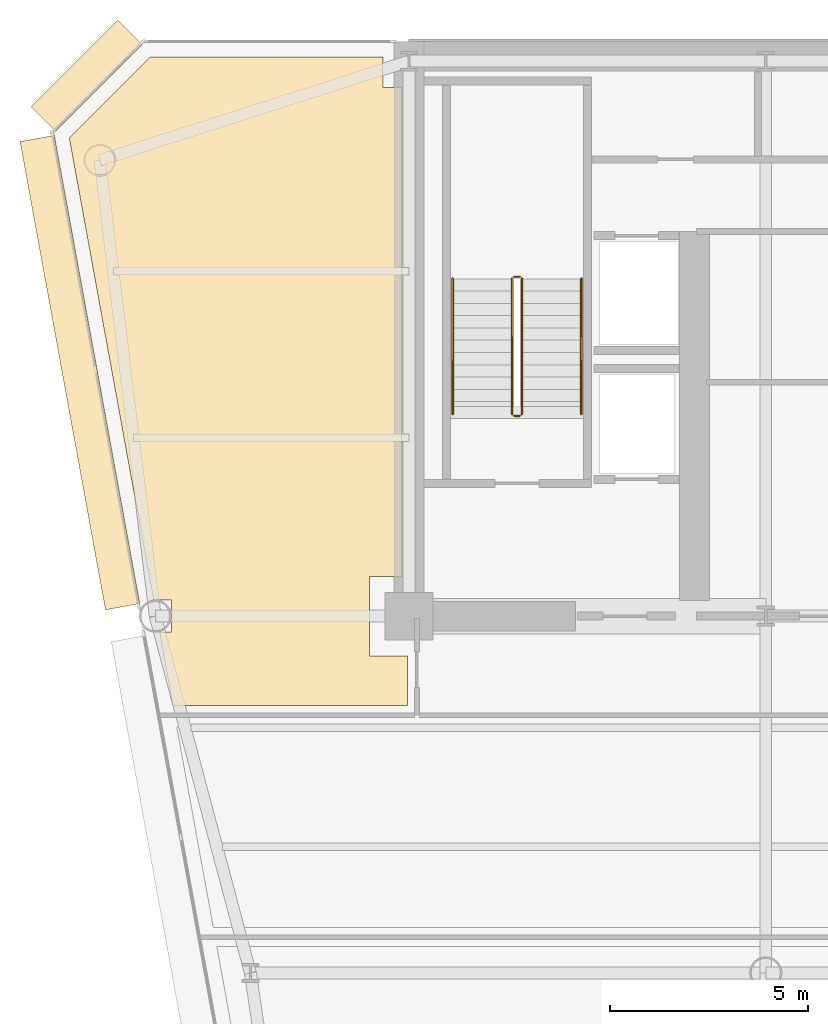
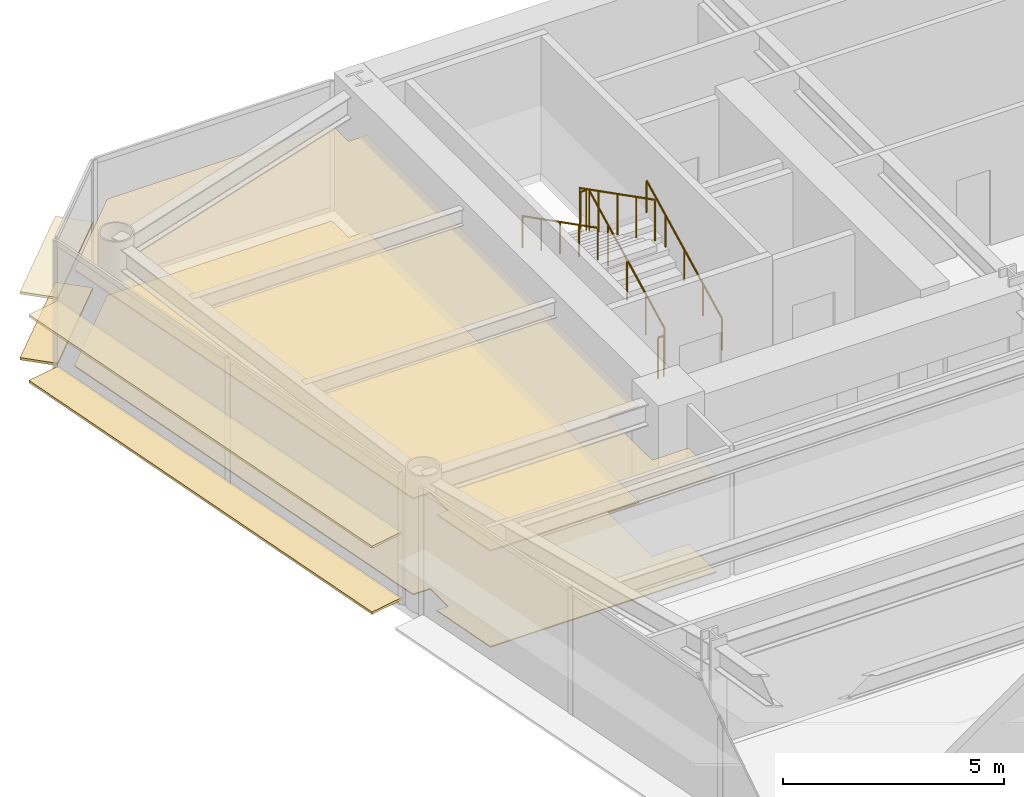
# One storey, part 15 of 17: 6 coverings, 6 railings.
"""IFC4 building model written with IfcOpenShell, lengths in metres."""

from ifc_helpers import new_model, si_unit, direction, frame, origin, origin_2d, place, context, subcontext, project, spatial, polyline, rectangle, circle, outline, extrude, source, transform, mapped, material, layer, layer_set, type_object, element, save


model = new_model("IFC4")

# Units and contexts
model_context = context("Model", 3, precision=1e-05, world=origin(), true_north=direction((0.0, 1.0)))
body_context = subcontext(model_context, "Body", "Model", "MODEL_VIEW")
ifc_project = project(units=[si_unit("LENGTHUNIT", "METRE"), si_unit("AREAUNIT", "SQUARE_METRE"), si_unit("VOLUMEUNIT", "CUBIC_METRE"), si_unit("PLANEANGLEUNIT", "RADIAN"), si_unit("MASSUNIT", "GRAM", prefix="KILO")], contexts=[model_context])

# Site, building, storey
site_placement = place(None, origin())
site = spatial("IfcSite", under=ifc_project, at=site_placement, CompositionType="ELEMENT")
building_placement = place(site_placement, origin())
building = spatial("IfcBuilding", under=site, at=building_placement, Name="Vaeldorn Concourse Tower", CompositionType="ELEMENT")
storey_placement = place(building_placement, frame((0.0, 0.0, 157.60009765625)))
storey = spatial("IfcBuildingStorey", under=building, at=storey_placement, Name="L40", CompositionType="ELEMENT", Elevation=157.60009765625)

# Coverings
ifc_material_1 = material(Name="Acoustic Mineral Fibre Board", Category="gypsum")
ifc_layer_1 = layer(ifc_material_1, 0.0400390625)
ifc_layer_set_1 = layer_set([ifc_layer_1], Name="Acoustic Mineral Fibre Board")
covering_type_1 = type_object("IfcCoveringType", Name="COV-CEIL-ACOUSTIC", PredefinedType="CEILING", material=ifc_layer_set_1)
covering_1_placement = place(storey_placement, frame((0.0, 0.0, 2.64990234375)))
element("IfcCovering", 1, at=covering_1_placement, inside=storey, type_object=covering_type_1, Name="Suspended Acoustic Ceiling L40-4", PredefinedType="CEILING", context=body_context, shape_type="SweptSolid", body=[
    extrude(outline(polyline([(7.4658203125, 50.60009765625), (13.340087890625, 50.60009765625), (13.340087890625, 49.840087890625), (13.820068359375, 49.840087890625), (13.820068359375, 37.5), (13.0, 37.5), (13.0, 35.5), (13.9599609375, 35.5), (13.9599609375, 34.239990234375), (8.044189453125, 34.239990234375), (7.706298828125, 36.093505859375), (8.006591796875, 36.093505859375), (8.006591796875, 36.906494140625), (7.557861328125, 36.906494140625), (5.43115234375, 48.5654296875), (7.4658203125, 50.60009765625)])), origin(), (0.0, 0.0, 1.0), 0.0400390625),
])
ifc_material_2 = material(Name="Honed Limestone Terrazzo Flooring", Category="masonry")
ifc_layer_2 = layer(ifc_material_2, 0.0400390625)
ifc_layer_set_2 = layer_set([ifc_layer_2], Name="Honed Limestone Terrazzo Flooring")
covering_type_2 = type_object("IfcCoveringType", Name="COV-FLOOR-STONE", PredefinedType="FLOORING", material=ifc_layer_set_2)
covering_2_placement = place(storey_placement, origin())
element("IfcCovering", 2, at=covering_2_placement, inside=storey, type_object=covering_type_2, Name="Floor Finish Covering L40-4", PredefinedType="FLOORING", context=body_context, shape_type="SweptSolid", body=[
    extrude(outline(polyline([(7.4658203125, 50.60009765625), (13.340087890625, 50.60009765625), (13.340087890625, 49.840087890625), (13.820068359375, 49.840087890625), (13.820068359375, 37.5), (13.0, 37.5), (13.0, 35.5), (13.9599609375, 35.5), (13.9599609375, 34.239990234375), (8.044189453125, 34.239990234375), (7.706298828125, 36.093505859375), (8.006591796875, 36.093505859375), (8.006591796875, 36.906494140625), (7.557861328125, 36.906494140625), (5.43115234375, 48.5654296875), (7.4658203125, 50.60009765625)])), origin(), (0.0, 0.0, 1.0), 0.02978515625),
])

# Railings
ifc_material_3 = material(Name="Anodised Bronze Aluminium", Category="aluminium")
railing_type_1 = type_object("IfcRailingType", Name="RL-STAIR-GUARD", PredefinedType="GUARDRAIL", material=ifc_material_3)
railing_1_placement = place(storey_placement, frame((16.85009765625, 41.60009765625, 0.158203125)))
element("IfcRailing", 3, at=railing_1_placement, inside=storey, type_object=railing_type_1, Name="L40 ST-1 stair guard 1", PredefinedType="GUARDRAIL", context=body_context, shape_type="SweptSolid", body=[
    extrude(circle(Radius=0.02392578125, at=origin_2d()), frame((0.0, 0.0, 1.1259765625), z_axis=(0.0, 0.890555807335, 0.454873997962), x_axis=(-1.0, 0.0, 0.0)), (0.0, 0.0, 1.0), 3.828857421875),
    extrude(circle(Radius=0.02099609375, at=origin_2d()), origin(), (0.0, 0.0, 1.0), 1.101806640625),
    extrude(circle(Radius=0.02099609375, at=origin_2d()), frame((0.0, 0.8525390625, 0.435546875)), (0.0, 0.0, 1.0), 1.101806640625),
    extrude(circle(Radius=0.02099609375, at=origin_2d()), frame((0.0, 1.705078125, 0.870849609375)), (0.0, 0.0, 1.0), 1.101806640625),
    extrude(circle(Radius=0.02099609375, at=origin_2d()), frame((0.0, 2.557373046875, 1.30615234375)), (0.0, 0.0, 1.0), 1.101806640625),
    extrude(circle(Radius=0.02099609375, at=origin_2d()), frame((0.0, 3.409912109375, 1.74169921875)), (0.0, 0.0, 1.0), 1.101806640625),
])
railing_2_placement = place(storey_placement, frame((16.800048828125, 45.06005859375, 1.89990234375)))
element("IfcRailing", 4, at=railing_2_placement, inside=storey, type_object=railing_type_1, Name="L40 ST-1 stair guard 2", PredefinedType="GUARDRAIL", context=body_context, shape_type="SweptSolid", body=[
    extrude(circle(Radius=0.02392578125, at=origin_2d()), frame((0.0, 0.0, 1.1259765625), z_axis=(-1.0, 0.0, 0.0), x_axis=(0.0, -1.0, 0.0)), (0.0, 0.0, 1.0), 0.150146484375),
    extrude(circle(Radius=0.02099609375, at=origin_2d()), origin(), (0.0, 0.0, 1.0), 1.101806640625),
    extrude(circle(Radius=0.02099609375, at=origin_2d()), frame((-0.150146484375, 0.0, 0.0)), (0.0, 0.0, 1.0), 1.101806640625),
])
railing_3_placement = place(storey_placement, frame((16.60009765625, 45.010009765625, 2.058349609375)))
element("IfcRailing", 5, at=railing_3_placement, inside=storey, type_object=railing_type_1, Name="L40 ST-1 stair guard 3", PredefinedType="GUARDRAIL", context=body_context, shape_type="SweptSolid", body=[
    extrude(circle(Radius=0.02392578125, at=origin_2d()), frame((0.0, 0.0, 1.1259765625), z_axis=(0.0, -0.890581635807, 0.454823427236), x_axis=(1.0, 0.0, 0.0)), (0.0, 0.0, 1.0), 3.828857421875),
    extrude(circle(Radius=0.02099609375, at=origin_2d()), origin(), (0.0, 0.0, 1.0), 1.101806640625),
    extrude(circle(Radius=0.02099609375, at=origin_2d()), frame((0.0, -0.8525390625, 0.435302734375)), (0.0, 0.0, 1.0), 1.101806640625),
    extrude(circle(Radius=0.02099609375, at=origin_2d()), frame((0.0, -1.705078125, 0.87060546875)), (0.0, 0.0, 1.0), 1.101806640625),
    extrude(circle(Radius=0.02099609375, at=origin_2d()), frame((0.0, -2.557373046875, 1.30615234375)), (0.0, 0.0, 1.0), 1.101806640625),
    extrude(circle(Radius=0.02099609375, at=origin_2d()), frame((0.0, -3.409912109375, 1.741455078125)), (0.0, 0.0, 1.0), 1.101806640625),
])
railing_4_placement = place(storey_placement, frame((16.800048828125, 41.550048828125, 0.0)))
element("IfcRailing", 6, at=railing_4_placement, inside=storey, type_object=railing_type_1, Name="L40 ST-1 stair guard 4", PredefinedType="GUARDRAIL", context=body_context, shape_type="SweptSolid", body=[
    extrude(circle(Radius=0.02392578125, at=origin_2d()), frame((0.0, 0.0, 1.1259765625), z_axis=(-1.0, 0.0, 0.0), x_axis=(0.0, -1.0, 0.0)), (0.0, 0.0, 1.0), 0.150146484375),
    extrude(circle(Radius=0.02099609375, at=origin_2d()), origin(), (0.0, 0.0, 1.0), 1.101806640625),
    extrude(circle(Radius=0.02099609375, at=origin_2d()), frame((-0.150146484375, 0.0, 0.0)), (0.0, 0.0, 1.0), 1.101806640625),
])
railing_type_2 = type_object("IfcRailingType", Name="RL-STAIR-HANDRAIL", PredefinedType="HANDRAIL", material=ifc_material_3)
railing_5_placement = place(storey_placement, frame((18.35009765625, 41.60009765625, 0.158203125)))
element("IfcRailing", 7, at=railing_5_placement, inside=storey, type_object=railing_type_2, Name="L40 ST-1 stair handrail 1", PredefinedType="HANDRAIL", context=body_context, shape_type="SweptSolid", body=[
    extrude(circle(Radius=0.02392578125, at=origin_2d()), frame((0.0, 0.0, 0.8759765625), z_axis=(0.0, 0.890555807335, 0.454873997962), x_axis=(-1.0, 0.0, 0.0)), (0.0, 0.0, 1.0), 3.828857421875),
    extrude(circle(Radius=0.02099609375, at=origin_2d()), origin(), (0.0, 0.0, 1.0), 0.851806640625),
    extrude(circle(Radius=0.02099609375, at=origin_2d()), frame((0.0, 0.8525390625, 0.435546875)), (0.0, 0.0, 1.0), 0.851806640625),
    extrude(circle(Radius=0.02099609375, at=origin_2d()), frame((0.0, 1.705078125, 0.870849609375)), (0.0, 0.0, 1.0), 0.851806640625),
    extrude(circle(Radius=0.02099609375, at=origin_2d()), frame((0.0, 2.557373046875, 1.30615234375)), (0.0, 0.0, 1.0), 0.851806640625),
    extrude(circle(Radius=0.02099609375, at=origin_2d()), frame((0.0, 3.409912109375, 1.74169921875)), (0.0, 0.0, 1.0), 0.851806640625),
])
railing_6_placement = place(storey_placement, frame((15.10009765625, 45.010009765625, 2.058349609375)))
element("IfcRailing", 8, at=railing_6_placement, inside=storey, type_object=railing_type_2, Name="L40 ST-1 stair handrail 2", PredefinedType="HANDRAIL", context=body_context, shape_type="SweptSolid", body=[
    extrude(circle(Radius=0.02392578125, at=origin_2d()), frame((0.0, 0.0, 0.8759765625), z_axis=(0.0, -0.890581635807, 0.454823427236), x_axis=(1.0, 0.0, 0.0)), (0.0, 0.0, 1.0), 3.828857421875),
    extrude(circle(Radius=0.02099609375, at=origin_2d()), origin(), (0.0, 0.0, 1.0), 0.851806640625),
    extrude(circle(Radius=0.02099609375, at=origin_2d()), frame((0.0, -0.8525390625, 0.435302734375)), (0.0, 0.0, 1.0), 0.851806640625),
    extrude(circle(Radius=0.02099609375, at=origin_2d()), frame((0.0, -1.705078125, 0.87060546875)), (0.0, 0.0, 1.0), 0.851806640625),
    extrude(circle(Radius=0.02099609375, at=origin_2d()), frame((0.0, -2.557373046875, 1.30615234375)), (0.0, 0.0, 1.0), 0.851806640625),
    extrude(circle(Radius=0.02099609375, at=origin_2d()), frame((0.0, -3.409912109375, 1.741455078125)), (0.0, 0.0, 1.0), 0.851806640625),
])

# Coverings
ifc_layer_3 = layer(ifc_material_3, 0.06494140625)
ifc_layer_set_3 = layer_set([ifc_layer_3], Name="Anodised Bronze Aluminium")
covering_type_3 = type_object("IfcCoveringType", Name="SD-BRONZE-SUNSHADE", PredefinedType="USERDEFINED", material=ifc_layer_set_3)
shared_shape_1 = source(origin(), body_context, "Body", "SweptSolid", [
    extrude(rectangle(XDim=3.0927734375, YDim=0.8798828125, at=origin_2d()), origin(), (0.0, 0.0, 1.0), 0.06494140625),
])
for number, where, z_axis, x_axis, name in (
    (9, (5.8671875, 50.1328125, 0.04736328125), (0.0, 0.0, 1.0), (-0.707106781187, -0.707106781187, 0.0), "Horizontal Bronze Sunshade L40-E10.1.1"),
    (10, (5.8671875, 50.1328125, 1.867431640625), (0.0, 0.0, 1.0), (-0.707106781187, -0.707106781187, 0.0), "Horizontal Bronze Sunshade L40-E10.1.2"),
):
    element("IfcCovering", number, at=place(storey_placement, frame(where, z_axis=z_axis, x_axis=x_axis)), inside=storey, type_object=covering_type_3, Name=name, ObjectType="SUNSHADE", PredefinedType="USERDEFINED", context=body_context, shape_type="MappedRepresentation", body=[
        mapped(shared_shape_1, transform((0.0, 0.0, 0.0), scale=1.0)),
    ])
shared_shape_2 = source(origin(), body_context, "Body", "SweptSolid", [
    extrude(rectangle(XDim=12.0078125, YDim=0.8798828125, at=origin_2d()), origin(), (0.0, 0.0, 1.0), 0.06494140625),
])
for number, where, z_axis, x_axis, name in (
    (11, (5.6982421875, 42.64306640625, 0.04736328125), (0.0, 0.0, 1.0), (0.179454713012, -0.983766235433, 0.0), "Horizontal Bronze Sunshade L40-E11.1.1"),
    (12, (5.6982421875, 42.64306640625, 1.867431640625), (0.0, 0.0, 1.0), (0.179454713012, -0.983766235433, 0.0), "Horizontal Bronze Sunshade L40-E11.1.2"),
):
    element("IfcCovering", number, at=place(storey_placement, frame(where, z_axis=z_axis, x_axis=x_axis)), inside=storey, type_object=covering_type_3, Name=name, ObjectType="SUNSHADE", PredefinedType="USERDEFINED", context=body_context, shape_type="MappedRepresentation", body=[
        mapped(shared_shape_2, transform((0.0, 0.0, 0.0), scale=1.0)),
    ])

save(model, "model.ifc")
